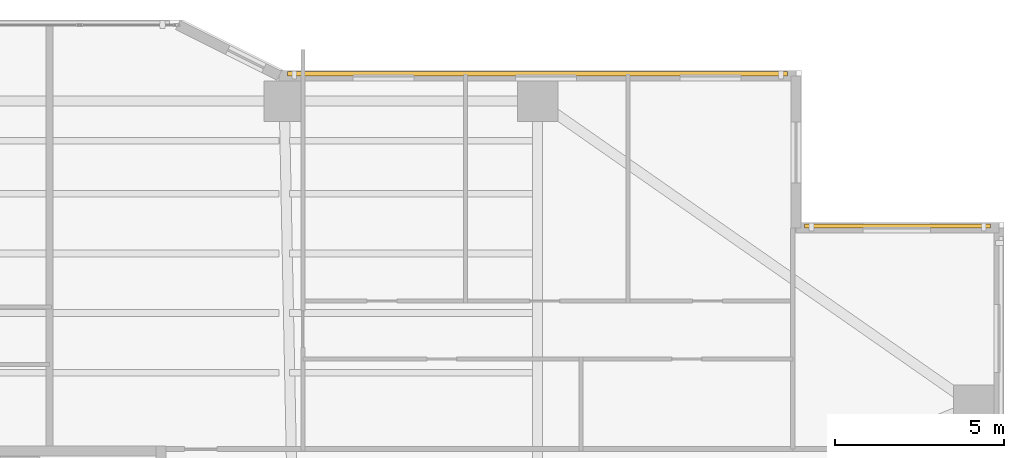
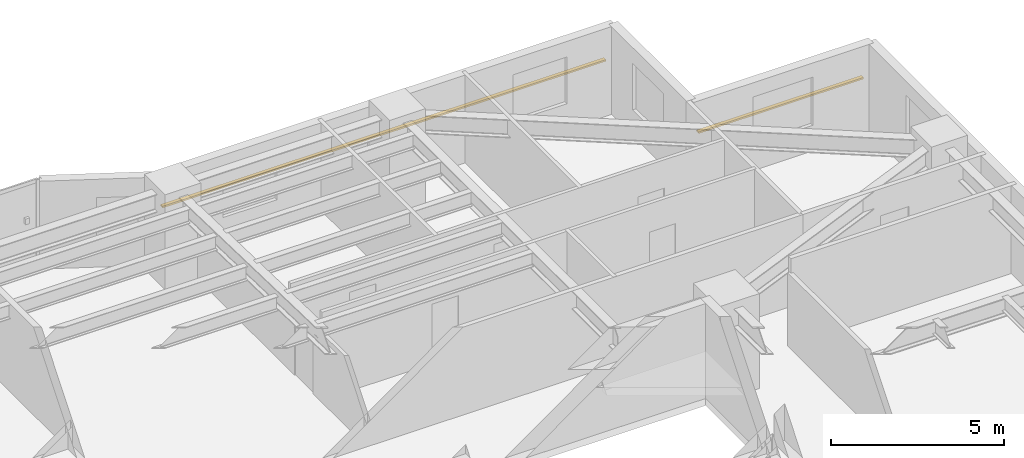
# One storey, part 20 of 20: 2 shading devices.
"""IFC4 building model written with IfcOpenShell, lengths in metres."""

from ifc_helpers import new_model, si_unit, direction, frame, origin, origin_2d, place, context, subcontext, project, spatial, rectangle, extrude, material, material_profile, profile_set, type_object, element, save


model = new_model("IFC4")

# Units and contexts
model_context = context("Model", 3, precision=1e-05, world=origin(), true_north=direction((0.0, 1.0)))
body_context = subcontext(model_context, "Body", "Model", "MODEL_VIEW")
ifc_project = project(units=[si_unit("LENGTHUNIT", "METRE"), si_unit("AREAUNIT", "SQUARE_METRE"), si_unit("VOLUMEUNIT", "CUBIC_METRE"), si_unit("PLANEANGLEUNIT", "RADIAN"), si_unit("MASSUNIT", "GRAM", prefix="KILO")], contexts=[model_context])

# Site, building, storey
site_placement = place(None, origin())
site = spatial("IfcSite", under=ifc_project, at=site_placement, CompositionType="ELEMENT")
building_placement = place(site_placement, origin())
building = spatial("IfcBuilding", under=site, at=building_placement, Name="Tarnavaz Court Tower", CompositionType="ELEMENT")
storey_placement = place(building_placement, frame((0.0, 0.0, 30.699951171875)))
storey = spatial("IfcBuildingStorey", under=building, at=storey_placement, Name="L07", CompositionType="ELEMENT", Elevation=30.699951171875)

# Shading devices
ifc_material = material(Name="Kiln-Fired Khorasan Terracotta Ceramic", Category="masonry")
ifc_material_profile = material_profile(ifc_material, rectangle(XDim=0.1201171875, YDim=0.06005859375, at=origin_2d()), Name="TC BAGUETTE 120X60")
ifc_profile_set = profile_set([ifc_material_profile], Name="Kiln-Fired Khorasan Terracotta Ceramic")
shading_device_type = type_object("IfcShadingDeviceType", Name="SD-BAG-120", PredefinedType="USERDEFINED", material=ifc_profile_set)
shading_device_1_placement = place(storey_placement, frame((7.60009765625, 23.610107421875, 1.85009765625), z_axis=(1.0, 0.0, 0.0), x_axis=(0.0, 1.0, 0.0)))
element("IfcShadingDevice", 1, at=shading_device_1_placement, inside=storey, type_object=shading_device_type, Name="L07 Terracotta Baguette Screen FBG09", ObjectType="BAGUETTE", PredefinedType="USERDEFINED", context=body_context, shape_type="SweptSolid", body=[
    extrude(rectangle(XDim=0.1201171875, YDim=0.06005859375, at=origin_2d()), origin(), (0.0, 0.0, 1.0), 14.7998046875),
])
shading_device_2_placement = place(storey_placement, frame((22.89990234375, 19.110107421875, 1.85009765625), z_axis=(1.0, 0.0, 0.0), x_axis=(0.0, 1.0, 0.0)))
element("IfcShadingDevice", 2, at=shading_device_2_placement, inside=storey, type_object=shading_device_type, Name="L07 Terracotta Baguette Screen FBG11", ObjectType="BAGUETTE", PredefinedType="USERDEFINED", context=body_context, shape_type="SweptSolid", body=[
    extrude(rectangle(XDim=0.1201171875, YDim=0.06005859375, at=origin_2d()), origin(), (0.0, 0.0, 1.0), 5.5),
])

save(model, "model.ifc")
